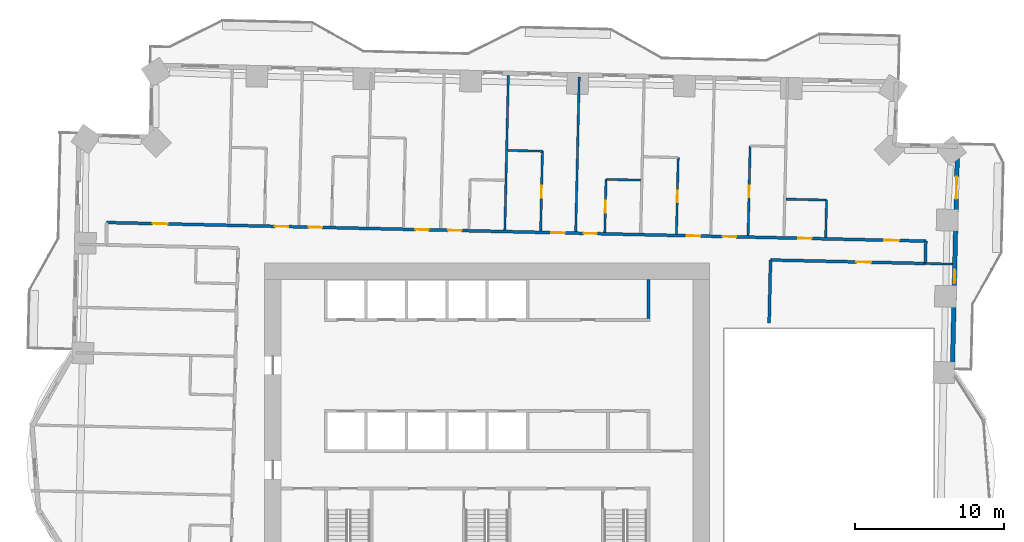
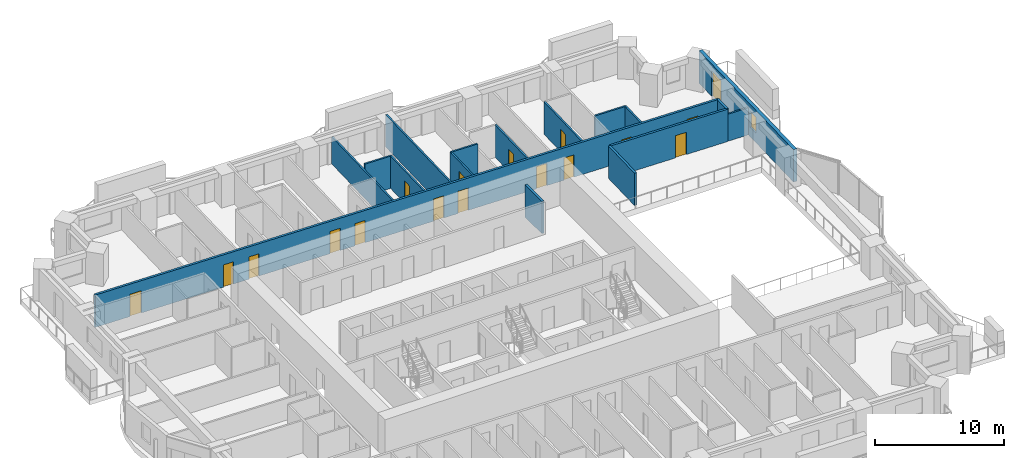
# One storey, part 12 of 18: 17 doors, 17 walls, 1 window, 18 openings.
"""IFC4 building model written with IfcOpenShell, lengths in metres."""

from ifc_helpers import new_model, si_unit, direction, frame, frame_2d, origin, place, context, subcontext, project, spatial, rectangle, extrude, material, layer, layer_set, type_object, element, fill, save


model = new_model("IFC4")

# Units and contexts
model_context = context("Model", 3, precision=1e-05, world=origin(), true_north=direction((0.0, 1.0)))
body_context = subcontext(model_context, "Body", "Model", "MODEL_VIEW")
ifc_project = project(units=[si_unit("LENGTHUNIT", "METRE"), si_unit("AREAUNIT", "SQUARE_METRE"), si_unit("VOLUMEUNIT", "CUBIC_METRE"), si_unit("PLANEANGLEUNIT", "RADIAN"), si_unit("MASSUNIT", "GRAM", prefix="KILO")], contexts=[model_context])

# Site, building, storey
site_placement = place(None, origin())
site = spatial("IfcSite", under=ifc_project, at=site_placement, CompositionType="ELEMENT")
building_placement = place(site_placement, origin())
building = spatial("IfcBuilding", under=site, at=building_placement, Name="Mangrove Gate Tower", CompositionType="ELEMENT")
storey_placement = place(building_placement, frame((0.0, 0.0, 71.10009765625)))
storey = spatial("IfcBuildingStorey", under=building, at=storey_placement, Name="L17", CompositionType="ELEMENT", Elevation=71.10009765625)

# Walls
ifc_material_1 = material(Name="Concrete C32/40", Category="concrete")
ifc_layer_1 = layer(ifc_material_1, 0.199951171875)
ifc_layer_set_1 = layer_set([ifc_layer_1], Name="Core room wall 200 C32/40")
wall_type_1 = type_object("IfcWallType", Name="Core room wall 200 C32/40", PredefinedType="STANDARD", material=ifc_layer_set_1)
wall_1_placement = place(storey_placement, frame((10.800048828125, 8.199951171875, 0.0), z_axis=(0.0, 0.0, 1.0), x_axis=(0.0, 1.0, 0.0)))
element("IfcWall", 1, at=wall_1_placement, inside=storey, type_object=wall_type_1, Name="WALL-L17-CORE-33", PredefinedType="STANDARD", context=body_context, shape_type="SweptSolid", body=[
    extrude(rectangle(XDim=2.60009765625, YDim=0.199951171875, at=frame_2d((1.300048828125, 0.0))), origin(), (0.0, 0.0, 1.0), 3.0498046875),
])
ifc_material_2 = material(Name="Gypsum board on steel stud, EI 60", Category="steel")
ifc_layer_2 = layer(ifc_material_2, 0.199951171875)
ifc_layer_set_2 = layer_set([ifc_layer_2], Name="Corridor wall EI 60")
wall_type_2 = type_object("IfcWallType", Name="Corridor wall EI 60", PredefinedType="PARTITIONING", material=ifc_layer_set_2)
wall_2_placement = place(storey_placement, frame((18.89111328125, 7.903076171875, 0.0), z_axis=(0.0, 0.0, 1.0), x_axis=(0.022807092041, 0.999739884446, 0.0)))
element("IfcWall", 2, at=wall_2_placement, inside=storey, type_object=wall_type_2, Name="WALL-L17-050", PredefinedType="PARTITIONING", context=body_context, shape_type="SweptSolid", body=[
    extrude(rectangle(XDim=4.206787109375, YDim=0.199951171875, at=frame_2d((2.103515625, 0.0))), origin(), (0.0, 0.0, 1.0), 3.0498046875),
])

# Wall, opening, door
wall_3_placement = place(storey_placement, frame((18.985107421875, 12.10888671875, 0.0), z_axis=(0.0, 0.0, 1.0), x_axis=(0.999743715221, -0.022638548456, 0.0)))
wall_3 = element("IfcWall", 3, at=wall_3_placement, inside=storey, type_object=wall_type_2, Name="WALL-L17-056", PredefinedType="PARTITIONING", context=body_context, shape_type="SweptSolid", body=[
    extrude(rectangle(XDim=10.37451171875, YDim=0.199951171875, at=frame_2d((5.187255859375, 0.0))), origin(), (0.0, 0.0, 1.0), 3.0498046875),
])
opening_1_placement = place(wall_3_placement, frame((5.75, 0.0, 0.0)))
opening_1 = element("IfcOpeningElement", 4, at=opening_1_placement, cuts=wall_3, Name="Opening AD", PredefinedType="OPENING", context=body_context, shape_type="SweptSolid", body=[
    extrude(rectangle(XDim=1.0, YDim=2.10009765625, at=frame_2d((0.5, 1.050048828125))), frame((0.0, 0.10986328125, 0.0), z_axis=(0.0, -1.0, 0.0), x_axis=(1.0, 0.0, 0.0)), (0.0, 0.0, 1.0), 0.219970703125),
])
ifc_material_3 = material(Name="Timber door leaf", Category="wood")
door_type_1 = type_object("IfcDoorType", Name="Amenity door 1000", OperationType="SINGLE_SWING_LEFT", PredefinedType="DOOR", material=ifc_material_3)
door_1_placement = place(opening_1_placement, origin())
door_1 = element("IfcDoor", 5, at=door_1_placement, inside=storey, type_object=door_type_1, Name="DOOR-L17-KIT-c3a", OperationType="SINGLE_SWING_RIGHT", OverallHeight=2.10009765625, OverallWidth=1.0, PredefinedType="DOOR", context=body_context, shape_type="SweptSolid", body=[
    extrude(rectangle(XDim=1.0, YDim=2.10009765625, at=frame_2d((0.5, 1.050048828125))), frame((0.0, 0.02490234375, 0.0), z_axis=(0.0, -1.0, 0.0), x_axis=(1.0, 0.0, 0.0)), (0.0, 0.0, 1.0), 0.050048828125),
])
fill(opening_1, door_1)

# Wall
wall_4_placement = place(storey_placement, frame((29.35400390625, 11.8740234375, 0.0), z_axis=(0.0, 0.0, 1.0), x_axis=(0.022632637625, 0.99974384905, 0.0)))
element("IfcWall", 6, at=wall_4_placement, inside=storey, type_object=wall_type_2, Name="WALL-L17-057", PredefinedType="PARTITIONING", context=body_context, shape_type="SweptSolid", body=[
    extrude(rectangle(XDim=1.49951171875, YDim=0.199951171875, at=frame_2d((0.749755859375, 0.0))), origin(), (0.0, 0.0, 1.0), 3.0498046875),
])

# Wall, openings, doors
wall_5_placement = place(storey_placement, frame((-25.48095703125, 14.618896484375, 0.0), z_axis=(0.0, 0.0, 1.0), x_axis=(0.999742349682, -0.022698772048, 0.0)))
wall_5 = element("IfcWall", 7, at=wall_5_placement, inside=storey, type_object=wall_type_2, Name="WALL-L17-059", PredefinedType="PARTITIONING", context=body_context, shape_type="SweptSolid", body=[
    extrude(rectangle(XDim=54.88623046875, YDim=0.199951171875, at=frame_2d((27.443115234375, 0.0))), origin(), (0.0, 0.0, 1.0), 3.0498046875),
])
opening_2_placement = place(wall_5_placement, frame((52.093017578125, 0.0, 0.0)))
opening_2 = element("IfcOpeningElement", 8, at=opening_2_placement, cuts=wall_5, Name="Opening AD", PredefinedType="OPENING", context=body_context, shape_type="SweptSolid", body=[
    extrude(rectangle(XDim=1.0, YDim=2.10009765625, at=frame_2d((0.5, 1.050048828125))), frame((0.0, 0.10986328125, 0.0), z_axis=(0.0, -1.0, 0.0), x_axis=(1.0, 0.0, 0.0)), (0.0, 0.0, 1.0), 0.219970703125),
])
opening_3_placement = place(wall_5_placement, frame((46.324951171875, 0.0, 0.0)))
opening_3 = element("IfcOpeningElement", 9, at=opening_3_placement, cuts=wall_5, Name="Opening SD", PredefinedType="OPENING", context=body_context, shape_type="SweptSolid", body=[
    extrude(rectangle(XDim=0.89990234375, YDim=2.10009765625, at=frame_2d((0.449951171875, 1.050048828125))), frame((0.0, 0.10986328125, 0.0), z_axis=(0.0, -1.0, 0.0), x_axis=(1.0, 0.0, 0.0)), (0.0, 0.0, 1.0), 0.219970703125),
])
opening_4_placement = place(wall_5_placement, frame((41.27490234375, 0.0, 0.0)))
opening_4 = element("IfcOpeningElement", 10, at=opening_4_placement, cuts=wall_5, Name="Opening BD", PredefinedType="OPENING", context=body_context, shape_type="SweptSolid", body=[
    extrude(rectangle(XDim=0.89990234375, YDim=2.10009765625, at=frame_2d((0.449951171875, 1.050048828125))), frame((0.0, 0.10986328125, 0.0), z_axis=(0.0, -1.0, 0.0), x_axis=(1.0, 0.0, 0.0)), (0.0, 0.0, 1.0), 0.219970703125),
])
opening_5_placement = place(wall_5_placement, frame((38.875, 0.0, 0.0)))
opening_5 = element("IfcOpeningElement", 11, at=opening_5_placement, cuts=wall_5, Name="Opening BD", PredefinedType="OPENING", context=body_context, shape_type="SweptSolid", body=[
    extrude(rectangle(XDim=0.89990234375, YDim=2.10009765625, at=frame_2d((0.449951171875, 1.050048828125))), frame((0.0, 0.10986328125, 0.0), z_axis=(0.0, -1.0, 0.0), x_axis=(1.0, 0.0, 0.0)), (0.0, 0.0, 1.0), 0.219970703125),
])
opening_6_placement = place(wall_5_placement, frame((31.949951171875, 0.0, 0.0)))
opening_6 = element("IfcOpeningElement", 12, at=opening_6_placement, cuts=wall_5, Name="Opening BD", PredefinedType="OPENING", context=body_context, shape_type="SweptSolid", body=[
    extrude(rectangle(XDim=0.89990234375, YDim=2.10009765625, at=frame_2d((0.449951171875, 1.050048828125))), frame((0.0, 0.10986328125, 0.0), z_axis=(0.0, -1.0, 0.0), x_axis=(1.0, 0.0, 0.0)), (0.0, 0.0, 1.0), 0.219970703125),
])
opening_7_placement = place(wall_5_placement, frame((29.800048828125, 0.0, 0.0)))
opening_7 = element("IfcOpeningElement", 13, at=opening_7_placement, cuts=wall_5, Name="Opening BD", PredefinedType="OPENING", context=body_context, shape_type="SweptSolid", body=[
    extrude(rectangle(XDim=0.89990234375, YDim=2.10009765625, at=frame_2d((0.449951171875, 1.050048828125))), frame((0.0, 0.10986328125, 0.0), z_axis=(0.0, -1.0, 0.0), x_axis=(1.0, 0.0, 0.0)), (0.0, 0.0, 1.0), 0.219970703125),
])
opening_8_placement = place(wall_5_placement, frame((22.875, 0.0, 0.0)))
opening_8 = element("IfcOpeningElement", 14, at=opening_8_placement, cuts=wall_5, Name="Opening BD", PredefinedType="OPENING", context=body_context, shape_type="SweptSolid", body=[
    extrude(rectangle(XDim=0.89990234375, YDim=2.10009765625, at=frame_2d((0.449951171875, 1.050048828125))), frame((0.0, 0.10986328125, 0.0), z_axis=(0.0, -1.0, 0.0), x_axis=(1.0, 0.0, 0.0)), (0.0, 0.0, 1.0), 0.219970703125),
])
opening_9_placement = place(wall_5_placement, frame((20.675048828125, 0.0, 0.0)))
opening_9 = element("IfcOpeningElement", 15, at=opening_9_placement, cuts=wall_5, Name="Opening BD", PredefinedType="OPENING", context=body_context, shape_type="SweptSolid", body=[
    extrude(rectangle(XDim=0.89990234375, YDim=2.10009765625, at=frame_2d((0.449951171875, 1.050048828125))), frame((0.0, 0.10986328125, 0.0), z_axis=(0.0, -1.0, 0.0), x_axis=(1.0, 0.0, 0.0)), (0.0, 0.0, 1.0), 0.219970703125),
])
opening_10_placement = place(wall_5_placement, frame((13.52490234375, 0.0, 0.0)))
opening_10 = element("IfcOpeningElement", 16, at=opening_10_placement, cuts=wall_5, Name="Opening BD", PredefinedType="OPENING", context=body_context, shape_type="SweptSolid", body=[
    extrude(rectangle(XDim=0.89990234375, YDim=2.10009765625, at=frame_2d((0.449951171875, 1.050048828125))), frame((0.0, 0.10986328125, 0.0), z_axis=(0.0, -1.0, 0.0), x_axis=(1.0, 0.0, 0.0)), (0.0, 0.0, 1.0), 0.219970703125),
])
opening_11_placement = place(wall_5_placement, frame((11.27490234375, 0.0, 0.0)))
opening_11 = element("IfcOpeningElement", 17, at=opening_11_placement, cuts=wall_5, Name="Opening BD", PredefinedType="OPENING", context=body_context, shape_type="SweptSolid", body=[
    extrude(rectangle(XDim=0.89990234375, YDim=2.10009765625, at=frame_2d((0.449951171875, 1.050048828125))), frame((0.0, 0.10986328125, 0.0), z_axis=(0.0, -1.0, 0.0), x_axis=(1.0, 0.0, 0.0)), (0.0, 0.0, 1.0), 0.219970703125),
])
opening_12_placement = place(wall_5_placement, frame((3.0791015625, 0.0, 0.0)))
opening_12 = element("IfcOpeningElement", 18, at=opening_12_placement, cuts=wall_5, Name="Opening AD", PredefinedType="OPENING", context=body_context, shape_type="SweptSolid", body=[
    extrude(rectangle(XDim=1.0, YDim=2.10009765625, at=frame_2d((0.5, 1.050048828125))), frame((0.0, 0.10986328125, 0.0), z_axis=(0.0, -1.0, 0.0), x_axis=(1.0, 0.0, 0.0)), (0.0, 0.0, 1.0), 0.219970703125),
])
door_2_placement = place(opening_2_placement, origin())
door_2 = element("IfcDoor", 19, at=door_2_placement, inside=storey, type_object=door_type_1, Name="DOOR-L17-LNG-c3a", OperationType="SINGLE_SWING_LEFT", OverallHeight=2.10009765625, OverallWidth=1.0, PredefinedType="DOOR", context=body_context, shape_type="SweptSolid", body=[
    extrude(rectangle(XDim=1.0, YDim=2.10009765625, at=frame_2d((0.5, 1.050048828125))), frame((0.0, 0.02490234375, 0.0), z_axis=(0.0, -1.0, 0.0), x_axis=(1.0, 0.0, 0.0)), (0.0, 0.0, 1.0), 0.050048828125),
])
fill(opening_2, door_2)
door_3_placement = place(opening_12_placement, origin())
door_3 = element("IfcDoor", 20, at=door_3_placement, inside=storey, type_object=door_type_1, Name="DOOR-L17-KIT-c5a", OperationType="SINGLE_SWING_RIGHT", OverallHeight=2.10009765625, OverallWidth=1.0, PredefinedType="DOOR", context=body_context, shape_type="SweptSolid", body=[
    extrude(rectangle(XDim=1.0, YDim=2.10009765625, at=frame_2d((0.5, 1.050048828125))), frame((0.0, 0.02490234375, 0.0), z_axis=(0.0, -1.0, 0.0), x_axis=(1.0, 0.0, 0.0)), (0.0, 0.0, 1.0), 0.050048828125),
])
fill(opening_12, door_3)
ifc_material_4 = material(Name="Timber door leaf", Category="wood")
door_type_2 = type_object("IfcDoorType", Name="Bedroom door 900", OperationType="SINGLE_SWING_LEFT", PredefinedType="DOOR", material=ifc_material_4)
door_4_placement = place(opening_4_placement, origin())
door_4 = element("IfcDoor", 21, at=door_4_placement, inside=storey, type_object=door_type_2, Name="DOOR-L17-BED-c310", OperationType="SINGLE_SWING_RIGHT", OverallHeight=2.10009765625, OverallWidth=0.89990234375, PredefinedType="DOOR", context=body_context, shape_type="SweptSolid", body=[
    extrude(rectangle(XDim=0.89990234375, YDim=2.10009765625, at=frame_2d((0.449951171875, 1.050048828125))), frame((0.0, 0.02490234375, 0.0), z_axis=(0.0, -1.0, 0.0), x_axis=(1.0, 0.0, 0.0)), (0.0, 0.0, 1.0), 0.050048828125),
])
fill(opening_4, door_4)
door_5_placement = place(opening_5_placement, origin())
door_5 = element("IfcDoor", 22, at=door_5_placement, inside=storey, type_object=door_type_2, Name="DOOR-L17-BED-c311", OperationType="SINGLE_SWING_LEFT", OverallHeight=2.10009765625, OverallWidth=0.89990234375, PredefinedType="DOOR", context=body_context, shape_type="SweptSolid", body=[
    extrude(rectangle(XDim=0.89990234375, YDim=2.10009765625, at=frame_2d((0.449951171875, 1.050048828125))), frame((0.0, 0.02490234375, 0.0), z_axis=(0.0, -1.0, 0.0), x_axis=(1.0, 0.0, 0.0)), (0.0, 0.0, 1.0), 0.050048828125),
])
fill(opening_5, door_5)
door_6_placement = place(opening_6_placement, origin())
door_6 = element("IfcDoor", 23, at=door_6_placement, inside=storey, type_object=door_type_2, Name="DOOR-L17-BED-c412", OperationType="SINGLE_SWING_RIGHT", OverallHeight=2.10009765625, OverallWidth=0.89990234375, PredefinedType="DOOR", context=body_context, shape_type="SweptSolid", body=[
    extrude(rectangle(XDim=0.89990234375, YDim=2.10009765625, at=frame_2d((0.449951171875, 1.050048828125))), frame((0.0, 0.02490234375, 0.0), z_axis=(0.0, -1.0, 0.0), x_axis=(1.0, 0.0, 0.0)), (0.0, 0.0, 1.0), 0.050048828125),
])
fill(opening_6, door_6)
door_7_placement = place(opening_7_placement, origin())
door_7 = element("IfcDoor", 24, at=door_7_placement, inside=storey, type_object=door_type_2, Name="DOOR-L17-BED-c413", OperationType="SINGLE_SWING_LEFT", OverallHeight=2.10009765625, OverallWidth=0.89990234375, PredefinedType="DOOR", context=body_context, shape_type="SweptSolid", body=[
    extrude(rectangle(XDim=0.89990234375, YDim=2.10009765625, at=frame_2d((0.449951171875, 1.050048828125))), frame((0.0, 0.02490234375, 0.0), z_axis=(0.0, -1.0, 0.0), x_axis=(1.0, 0.0, 0.0)), (0.0, 0.0, 1.0), 0.050048828125),
])
fill(opening_7, door_7)
door_8_placement = place(opening_8_placement, origin())
door_8 = element("IfcDoor", 25, at=door_8_placement, inside=storey, type_object=door_type_2, Name="DOOR-L17-BED-c414", OperationType="SINGLE_SWING_RIGHT", OverallHeight=2.10009765625, OverallWidth=0.89990234375, PredefinedType="DOOR", context=body_context, shape_type="SweptSolid", body=[
    extrude(rectangle(XDim=0.89990234375, YDim=2.10009765625, at=frame_2d((0.449951171875, 1.050048828125))), frame((0.0, 0.02490234375, 0.0), z_axis=(0.0, -1.0, 0.0), x_axis=(1.0, 0.0, 0.0)), (0.0, 0.0, 1.0), 0.050048828125),
])
fill(opening_8, door_8)
door_9_placement = place(opening_9_placement, origin())
door_9 = element("IfcDoor", 26, at=door_9_placement, inside=storey, type_object=door_type_2, Name="DOOR-L17-BED-c515", OperationType="SINGLE_SWING_LEFT", OverallHeight=2.10009765625, OverallWidth=0.89990234375, PredefinedType="DOOR", context=body_context, shape_type="SweptSolid", body=[
    extrude(rectangle(XDim=0.89990234375, YDim=2.10009765625, at=frame_2d((0.449951171875, 1.050048828125))), frame((0.0, 0.02490234375, 0.0), z_axis=(0.0, -1.0, 0.0), x_axis=(1.0, 0.0, 0.0)), (0.0, 0.0, 1.0), 0.050048828125),
])
fill(opening_9, door_9)
door_10_placement = place(opening_10_placement, origin())
door_10 = element("IfcDoor", 27, at=door_10_placement, inside=storey, type_object=door_type_2, Name="DOOR-L17-BED-c516", OperationType="SINGLE_SWING_RIGHT", OverallHeight=2.10009765625, OverallWidth=0.89990234375, PredefinedType="DOOR", context=body_context, shape_type="SweptSolid", body=[
    extrude(rectangle(XDim=0.89990234375, YDim=2.10009765625, at=frame_2d((0.449951171875, 1.050048828125))), frame((0.0, 0.02490234375, 0.0), z_axis=(0.0, -1.0, 0.0), x_axis=(1.0, 0.0, 0.0)), (0.0, 0.0, 1.0), 0.050048828125),
])
fill(opening_10, door_10)
door_11_placement = place(opening_11_placement, origin())
door_11 = element("IfcDoor", 28, at=door_11_placement, inside=storey, type_object=door_type_2, Name="DOOR-L17-BED-c517", OperationType="SINGLE_SWING_LEFT", OverallHeight=2.10009765625, OverallWidth=0.89990234375, PredefinedType="DOOR", context=body_context, shape_type="SweptSolid", body=[
    extrude(rectangle(XDim=0.89990234375, YDim=2.10009765625, at=frame_2d((0.449951171875, 1.050048828125))), frame((0.0, 0.02490234375, 0.0), z_axis=(0.0, -1.0, 0.0), x_axis=(1.0, 0.0, 0.0)), (0.0, 0.0, 1.0), 0.050048828125),
])
fill(opening_11, door_11)
ifc_material_5 = material(Name="Timber door leaf", Category="wood")
door_type_3 = type_object("IfcDoorType", Name="Service room door 900", OperationType="SINGLE_SWING_LEFT", PredefinedType="DOOR", material=ifc_material_5)
door_12_placement = place(opening_3_placement, origin())
door_12 = element("IfcDoor", 29, at=door_12_placement, inside=storey, type_object=door_type_3, Name="DOOR-L17-LDY-c3a", OperationType="SINGLE_SWING_RIGHT", OverallHeight=2.10009765625, OverallWidth=0.89990234375, PredefinedType="DOOR", context=body_context, shape_type="SweptSolid", body=[
    extrude(rectangle(XDim=0.89990234375, YDim=2.10009765625, at=frame_2d((0.449951171875, 1.050048828125))), frame((0.0, 0.02490234375, 0.0), z_axis=(0.0, -1.0, 0.0), x_axis=(1.0, 0.0, 0.0)), (0.0, 0.0, 1.0), 0.050048828125),
])
fill(opening_3, door_12)

# Wall, openings, door, window
ifc_material_6 = material(Name="Limestone", Category="masonry")
ifc_layer_3 = layer(ifc_material_6, 0.0400390625, Name="Limestone cladding")
ifc_material_7 = material(Name="Ventilated air gap")
ifc_layer_4 = layer(ifc_material_7, 0.0400390625, Name="Ventilated cavity")
ifc_material_8 = material(Name="Mineral wool insulation")
ifc_layer_5 = layer(ifc_material_8, 0.06005859375, Name="Insulation")
ifc_material_9 = material(Name="Breather membrane")
ifc_layer_6 = layer(ifc_material_9, 0.001953125, Name="Breather membrane")
ifc_material_10 = material(Name="Concrete C20/25 blockwork", Category="masonry")
ifc_layer_7 = layer(ifc_material_10, 0.14990234375, Name="Blockwork backing wall")
ifc_material_11 = material(Name="Gypsum plaster")
ifc_layer_8 = layer(ifc_material_11, 0.008056640625, Name="Internal plaster")
ifc_layer_set_3 = layer_set([ifc_layer_3, ifc_layer_4, ifc_layer_5, ifc_layer_6, ifc_layer_7, ifc_layer_8], Name="External wall 300 limestone cladding")
wall_type_3 = type_object("IfcWallType", Name="External wall 300 limestone cladding", PredefinedType="SOLIDWALL", material=ifc_layer_set_3)
wall_6_placement = place(storey_placement, frame((31.1650390625, 4.501953125, 0.0), z_axis=(0.0, 0.0, 1.0), x_axis=(0.022716307128, 0.999741951401, 0.0)))
wall_6 = element("IfcWall", 30, at=wall_6_placement, inside=storey, type_object=wall_type_3, Name="WALL-L17-E2", PredefinedType="SOLIDWALL", context=body_context, shape_type="SweptSolid", body=[
    extrude(rectangle(XDim=15.22900390625, YDim=0.300048828125, at=frame_2d((7.614501953125, 0.0))), origin(), (0.0, 0.0, 1.0), 3.0498046875),
])
opening_13_placement = place(wall_6_placement, frame((6.05908203125, 0.0, 0.89990234375)))
opening_13 = element("IfcOpeningElement", 31, at=opening_13_placement, cuts=wall_6, Name="Opening W5", PredefinedType="OPENING", context=body_context, shape_type="SweptSolid", body=[
    extrude(rectangle(XDim=0.89990234375, YDim=1.5, at=frame_2d((0.449951171875, 0.75))), frame((0.0, 0.159912109375, 0.0), z_axis=(0.0, -1.0, 0.0), x_axis=(1.0, 0.0, 0.0)), (0.0, 0.0, 1.0), 0.320068359375),
])
opening_14_placement = place(wall_6_placement, frame((11.697021484375, 0.0, 0.0)))
opening_14 = element("IfcOpeningElement", 32, at=opening_14_placement, cuts=wall_6, Name="Opening BD1", PredefinedType="OPENING", context=body_context, shape_type="SweptSolid", body=[
    extrude(rectangle(XDim=1.5, YDim=2.39990234375, at=frame_2d((0.75, 1.199951171875))), frame((0.0, 0.159912109375, 0.0), z_axis=(0.0, -1.0, 0.0), x_axis=(1.0, 0.0, 0.0)), (0.0, 0.0, 1.0), 0.320068359375),
])
ifc_material_12 = material(Name="Aluminium frame with laminated clear glass", Category="aluminium")
door_type_4 = type_object("IfcDoorType", Name="Balcony sliding door 1500x2400", OperationType="SLIDING_TO_LEFT", PredefinedType="DOOR", material=ifc_material_12)
door_13_placement = place(opening_14_placement, origin())
door_13 = element("IfcDoor", 33, at=door_13_placement, inside=storey, type_object=door_type_4, Name="DOOR-L17-E2-2", OperationType="SLIDING_TO_LEFT", OverallHeight=2.39990234375, OverallWidth=1.5, PredefinedType="DOOR", context=body_context, shape_type="SweptSolid", body=[
    extrude(rectangle(XDim=1.5, YDim=2.39990234375, at=frame_2d((0.75, 1.199951171875))), frame((0.0, 0.02490234375, 0.0), z_axis=(0.0, -1.0, 0.0), x_axis=(1.0, 0.0, 0.0)), (0.0, 0.0, 1.0), 0.050048828125),
])
fill(opening_14, door_13)
ifc_material_13 = material(Name="Aluminium frame with double-glazed low-e glass", Category="aluminium")
window_type = type_object("IfcWindowType", Name="Narrow window 900x1500", PartitioningType="SINGLE_PANEL", PredefinedType="WINDOW", material=ifc_material_13)
window_placement = place(opening_13_placement, origin())
window = element("IfcWindow", 34, at=window_placement, inside=storey, type_object=window_type, Name="WIN-L17-E2-1", OverallHeight=1.5, OverallWidth=0.89990234375, PartitioningType="SINGLE_PANEL", PredefinedType="WINDOW", context=body_context, shape_type="SweptSolid", body=[
    extrude(rectangle(XDim=0.89990234375, YDim=1.5, at=frame_2d((0.449951171875, 0.75))), frame((0.0, 0.030029296875, 0.0), z_axis=(0.0, -1.0, 0.0), x_axis=(1.0, 0.0, 0.0)), (0.0, 0.0, 1.0), 0.06005859375),
])
fill(opening_13, window)

# Walls
ifc_material_14 = material(Name="Gypsum board on steel stud, EI 60", Category="steel")
ifc_layer_9 = layer(ifc_material_14, 0.14990234375)
ifc_layer_set_4 = layer_set([ifc_layer_9], Name="Party wall 150 EI 60")
wall_type_4 = type_object("IfcWallType", Name="Party wall 150 EI 60", PredefinedType="PARTITIONING", material=ifc_layer_set_4)
wall_7_placement = place(storey_placement, frame((29.35693359375, 11.8740234375, 0.0), z_axis=(0.0, 0.0, 1.0), x_axis=(0.999735374258, -0.023003944398, 0.0)))
element("IfcWall", 35, at=wall_7_placement, inside=storey, type_object=wall_type_4, Name="WALL-L17-058", PredefinedType="PARTITIONING", context=body_context, shape_type="SweptSolid", body=[
    extrude(rectangle(XDim=1.825439453125, YDim=0.14990234375, at=frame_2d((0.91259765625, 0.0))), origin(), (0.0, 0.0, 1.0), 2.5498046875),
])
wall_8_placement = place(storey_placement, frame((1.18798828125, 14.113037109375, 0.0), z_axis=(0.0, 0.0, 1.0), x_axis=(0.022620139731, 0.999744131905, 0.0)))
element("IfcWall", 36, at=wall_8_placement, inside=storey, type_object=wall_type_4, Name="WALL-L17-068", PredefinedType="PARTITIONING", context=body_context, shape_type="SweptSolid", body=[
    extrude(rectangle(XDim=10.3505859375, YDim=0.14990234375, at=frame_2d((5.17529296875, 0.0))), origin(), (0.0, 0.0, 1.0), 2.5498046875),
])

# Wall, opening, door
wall_9_placement = place(storey_placement, frame((3.5869140625, 14.05908203125, 0.0), z_axis=(0.0, 0.0, 1.0), x_axis=(0.022675711771, 0.999742872991, 0.0)))
wall_9 = element("IfcWall", 37, at=wall_9_placement, inside=storey, type_object=wall_type_4, Name="WALL-L17-069", PredefinedType="PARTITIONING", context=body_context, shape_type="SweptSolid", body=[
    extrude(rectangle(XDim=5.34033203125, YDim=0.14990234375, at=frame_2d((2.670166015625, 0.0))), origin(), (0.0, 0.0, 1.0), 3.0498046875),
])
opening_15_placement = place(wall_9_placement, frame((2.219970703125, 0.0, 0.0)))
opening_15 = element("IfcOpeningElement", 38, at=opening_15_placement, cuts=wall_9, Name="Opening ED", PredefinedType="OPENING", context=body_context, shape_type="SweptSolid", body=[
    extrude(rectangle(XDim=0.800048828125, YDim=2.10009765625, at=frame_2d((0.39990234375, 1.050048828125))), frame((0.0, 0.0849609375, 0.0), z_axis=(0.0, -1.0, 0.0), x_axis=(1.0, 0.0, 0.0)), (0.0, 0.0, 1.0), 0.169921875),
])
ifc_material_15 = material(Name="Timber door leaf", Category="wood")
door_type_5 = type_object("IfcDoorType", Name="En-suite door 800", OperationType="SINGLE_SWING_LEFT", PredefinedType="DOOR", material=ifc_material_15)
door_14_placement = place(opening_15_placement, origin())
door_14 = element("IfcDoor", 39, at=door_14_placement, inside=storey, type_object=door_type_5, Name="DOOR-L17-ENS-c413", OperationType="SINGLE_SWING_LEFT", OverallHeight=2.10009765625, OverallWidth=0.800048828125, PredefinedType="DOOR", context=body_context, shape_type="SweptSolid", body=[
    extrude(rectangle(XDim=0.800048828125, YDim=2.10009765625, at=frame_2d((0.39990234375, 1.050048828125))), frame((0.0, 0.02490234375, 0.0), z_axis=(0.0, -1.0, 0.0), x_axis=(1.0, 0.0, 0.0)), (0.0, 0.0, 1.0), 0.050048828125),
])
fill(opening_15, door_14)

# Wall
wall_10_placement = place(storey_placement, frame((5.93603515625, 14.006103515625, 0.0), z_axis=(0.0, 0.0, 1.0), x_axis=(0.022693005506, 0.999742480592, 0.0)))
element("IfcWall", 40, at=wall_10_placement, inside=storey, type_object=wall_type_4, Name="WALL-L17-070", PredefinedType="PARTITIONING", context=body_context, shape_type="SweptSolid", body=[
    extrude(rectangle(XDim=10.349609375, YDim=0.14990234375, at=frame_2d((5.1748046875, 0.0))), origin(), (0.0, 0.0, 1.0), 3.0498046875),
])

# Wall, opening, door
wall_11_placement = place(storey_placement, frame((7.885986328125, 13.9609375, 0.0), z_axis=(0.0, 0.0, 1.0), x_axis=(0.022557373628, 0.999745550075, 0.0)))
wall_11 = element("IfcWall", 41, at=wall_11_placement, inside=storey, type_object=wall_type_4, Name="WALL-L17-071", PredefinedType="PARTITIONING", context=body_context, shape_type="SweptSolid", body=[
    extrude(rectangle(XDim=3.550048828125, YDim=0.14990234375, at=frame_2d((1.77490234375, 0.0))), origin(), (0.0, 0.0, 1.0), 3.0498046875),
])
opening_16_placement = place(wall_11_placement, frame((1.324951171875, 0.0, 0.0)))
opening_16 = element("IfcOpeningElement", 42, at=opening_16_placement, cuts=wall_11, Name="Opening ED", PredefinedType="OPENING", context=body_context, shape_type="SweptSolid", body=[
    extrude(rectangle(XDim=0.800048828125, YDim=2.10009765625, at=frame_2d((0.39990234375, 1.050048828125))), frame((0.0, 0.0849609375, 0.0), z_axis=(0.0, -1.0, 0.0), x_axis=(1.0, 0.0, 0.0)), (0.0, 0.0, 1.0), 0.169921875),
])
door_15_placement = place(opening_16_placement, origin())
door_15 = element("IfcDoor", 43, at=door_15_placement, inside=storey, type_object=door_type_5, Name="DOOR-L17-ENS-c412", OperationType="SINGLE_SWING_RIGHT", OverallHeight=2.10009765625, OverallWidth=0.800048828125, PredefinedType="DOOR", context=body_context, shape_type="SweptSolid", body=[
    extrude(rectangle(XDim=0.800048828125, YDim=2.10009765625, at=frame_2d((0.39990234375, 1.050048828125))), frame((0.0, 0.02490234375, 0.0), z_axis=(0.0, -1.0, 0.0), x_axis=(1.0, 0.0, 0.0)), (0.0, 0.0, 1.0), 0.050048828125),
])
fill(opening_16, door_15)

wall_12_placement = place(storey_placement, frame((12.68505859375, 13.85302734375, 0.0), z_axis=(0.0, 0.0, 1.0), x_axis=(0.02265315592, 0.999743384338, 0.0)))
wall_12 = element("IfcWall", 44, at=wall_12_placement, inside=storey, type_object=wall_type_4, Name="WALL-L17-073", PredefinedType="PARTITIONING", context=body_context, shape_type="SweptSolid", body=[
    extrude(rectangle(XDim=5.119140625, YDim=0.14990234375, at=frame_2d((2.5595703125, 0.0))), origin(), (0.0, 0.0, 1.0), 3.0498046875),
])
opening_17_placement = place(wall_12_placement, frame((2.110107421875, 0.0, 0.0)))
opening_17 = element("IfcOpeningElement", 45, at=opening_17_placement, cuts=wall_12, Name="Opening ED", PredefinedType="OPENING", context=body_context, shape_type="SweptSolid", body=[
    extrude(rectangle(XDim=0.800048828125, YDim=2.10009765625, at=frame_2d((0.39990234375, 1.050048828125))), frame((0.0, 0.0849609375, 0.0), z_axis=(0.0, -1.0, 0.0), x_axis=(1.0, 0.0, 0.0)), (0.0, 0.0, 1.0), 0.169921875),
])
door_16_placement = place(opening_17_placement, origin())
door_16 = element("IfcDoor", 46, at=door_16_placement, inside=storey, type_object=door_type_5, Name="DOOR-L17-ENS-c311", OperationType="SINGLE_SWING_LEFT", OverallHeight=2.10009765625, OverallWidth=0.800048828125, PredefinedType="DOOR", context=body_context, shape_type="SweptSolid", body=[
    extrude(rectangle(XDim=0.800048828125, YDim=2.10009765625, at=frame_2d((0.39990234375, 1.050048828125))), frame((0.0, 0.02490234375, 0.0), z_axis=(0.0, -1.0, 0.0), x_axis=(1.0, 0.0, 0.0)), (0.0, 0.0, 1.0), 0.050048828125),
])
fill(opening_17, door_16)

wall_13_placement = place(storey_placement, frame((17.48291015625, 13.743896484375, 0.0), z_axis=(0.0, 0.0, 1.0), x_axis=(0.022831220511, 0.999739333712, 0.0)))
wall_13 = element("IfcWall", 47, at=wall_13_placement, inside=storey, type_object=wall_type_4, Name="WALL-L17-075", PredefinedType="PARTITIONING", context=body_context, shape_type="SweptSolid", body=[
    extrude(rectangle(XDim=6.009521484375, YDim=0.14990234375, at=frame_2d((3.0048828125, 0.0))), origin(), (0.0, 0.0, 1.0), 3.0498046875),
])
opening_18_placement = place(wall_13_placement, frame((2.554931640625, 0.0, 0.0)))
opening_18 = element("IfcOpeningElement", 48, at=opening_18_placement, cuts=wall_13, Name="Opening ED", PredefinedType="OPENING", context=body_context, shape_type="SweptSolid", body=[
    extrude(rectangle(XDim=0.800048828125, YDim=2.10009765625, at=frame_2d((0.39990234375, 1.050048828125))), frame((0.0, 0.0849609375, 0.0), z_axis=(0.0, -1.0, 0.0), x_axis=(1.0, 0.0, 0.0)), (0.0, 0.0, 1.0), 0.169921875),
])
door_17_placement = place(opening_18_placement, origin())
door_17 = element("IfcDoor", 49, at=door_17_placement, inside=storey, type_object=door_type_5, Name="DOOR-L17-ENS-c310", OperationType="SINGLE_SWING_RIGHT", OverallHeight=2.10009765625, OverallWidth=0.800048828125, PredefinedType="DOOR", context=body_context, shape_type="SweptSolid", body=[
    extrude(rectangle(XDim=0.800048828125, YDim=2.10009765625, at=frame_2d((0.39990234375, 1.050048828125))), frame((0.0, 0.02490234375, 0.0), z_axis=(0.0, -1.0, 0.0), x_axis=(1.0, 0.0, 0.0)), (0.0, 0.0, 1.0), 0.050048828125),
])
fill(opening_18, door_17)

# Walls
wall_14_placement = place(storey_placement, frame((22.681884765625, 13.6259765625, 0.0), z_axis=(0.0, 0.0, 1.0), x_axis=(0.022854521249, 0.999738801317, 0.0)))
element("IfcWall", 50, at=wall_14_placement, inside=storey, type_object=wall_type_4, Name="WALL-L17-077", PredefinedType="PARTITIONING", context=body_context, shape_type="SweptSolid", body=[
    extrude(rectangle(XDim=2.499755859375, YDim=0.14990234375, at=frame_2d((1.25, 0.0))), origin(), (0.0, 0.0, 1.0), 3.0498046875),
])
wall_15_placement = place(storey_placement, frame((20.01611328125, 16.18701171875, 0.0), z_axis=(0.0, 0.0, 1.0), x_axis=(0.99974114142, -0.022751926344, 0.0)))
element("IfcWall", 51, at=wall_15_placement, inside=storey, type_object=wall_type_4, Name="WALL-L17-078", PredefinedType="PARTITIONING", context=body_context, shape_type="SweptSolid", body=[
    extrude(rectangle(XDim=2.7255859375, YDim=0.14990234375, at=frame_2d((1.36279296875, 0.0))), origin(), (0.0, 0.0, 1.0), 3.0498046875),
])
wall_16_placement = place(storey_placement, frame((7.968017578125, 17.510009765625, 0.0), z_axis=(0.0, 0.0, 1.0), x_axis=(0.999749954681, -0.022361308448, 0.0)))
element("IfcWall", 52, at=wall_16_placement, inside=storey, type_object=wall_type_4, Name="WALL-L17-080", PredefinedType="PARTITIONING", context=body_context, shape_type="SweptSolid", body=[
    extrude(rectangle(XDim=2.325439453125, YDim=0.14990234375, at=frame_2d((1.16259765625, 0.0))), origin(), (0.0, 0.0, 1.0), 3.0498046875),
])
wall_17_placement = place(storey_placement, frame((1.385986328125, 19.449951171875, 0.0), z_axis=(0.0, 0.0, 1.0), x_axis=(0.999749744571, -0.022370700241, 0.0)))
element("IfcWall", 53, at=wall_17_placement, inside=storey, type_object=wall_type_4, Name="WALL-L17-084", PredefinedType="PARTITIONING", context=body_context, shape_type="SweptSolid", body=[
    extrude(rectangle(XDim=2.324462890625, YDim=0.14990234375, at=frame_2d((1.162109375, 0.0))), origin(), (0.0, 0.0, 1.0), 3.0498046875),
])

save(model, "model.ifc")
